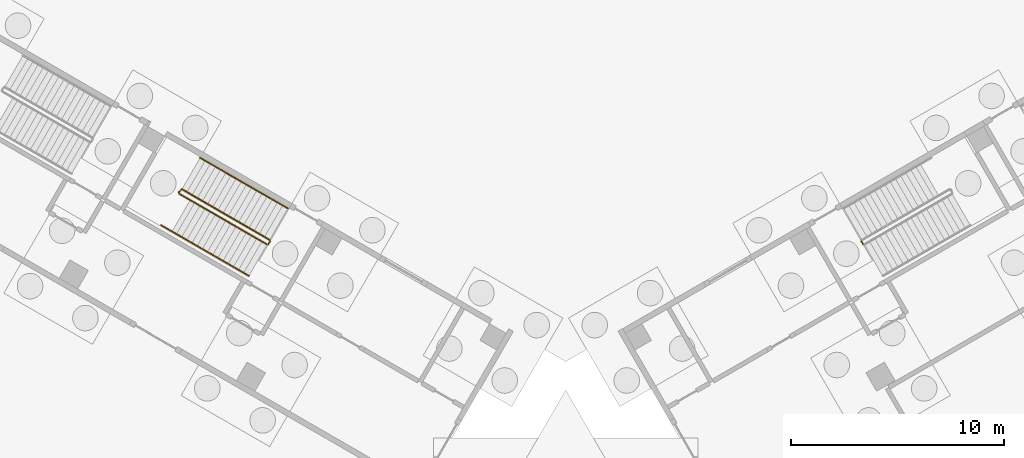
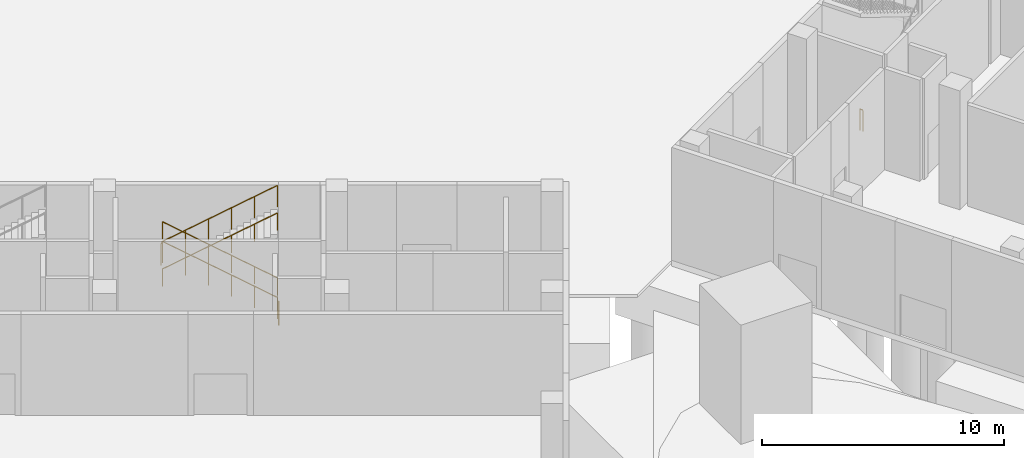
# One storey, part 33 of 38: 6 railings.
"""IFC4 building model written with IfcOpenShell, lengths in metres."""

from ifc_helpers import new_model, si_unit, direction, frame, origin, origin_2d, place, context, subcontext, project, spatial, circle, extrude, material, type_object, element, save


model = new_model("IFC4")

# Units and contexts
model_context = context("Model", 3, precision=1e-05, world=origin(), true_north=direction((0.0, 1.0)))
body_context = subcontext(model_context, "Body", "Model", "MODEL_VIEW")
ifc_project = project(units=[si_unit("LENGTHUNIT", "METRE"), si_unit("AREAUNIT", "SQUARE_METRE"), si_unit("VOLUMEUNIT", "CUBIC_METRE"), si_unit("PLANEANGLEUNIT", "RADIAN"), si_unit("MASSUNIT", "GRAM", prefix="KILO")], contexts=[model_context])

# Site, building, storey
site_placement = place(None, origin())
site = spatial("IfcSite", under=ifc_project, at=site_placement, CompositionType="ELEMENT")
building_placement = place(site_placement, origin())
building = spatial("IfcBuilding", under=site, at=building_placement, Name="Mestral Congress Tower", CompositionType="ELEMENT")
storey_placement = place(building_placement, origin())
storey = spatial("IfcBuildingStorey", under=building, at=storey_placement, Name="L00", CompositionType="ELEMENT", Elevation=0.0)

# Railings
ifc_material_1 = material(Name="Steel balustrade", Category="steel")
railing_type_1 = type_object("IfcRailingType", Name="Podium stair guard 1100", PredefinedType="GUARDRAIL", material=ifc_material_1)
railing_1_placement = place(storey_placement, frame((13.946533203125, 51.69970703125, 0.0)))
element("IfcRailing", 1, at=railing_1_placement, inside=storey, type_object=railing_type_1, Name="L00 PS-E4 stair guard 3", PredefinedType="GUARDRAIL", context=body_context, shape_type="SweptSolid", body=[
    extrude(circle(Radius=0.02392578125, at=origin_2d()), frame((0.0, 0.0, 1.076171875), z_axis=(-0.499816412211, 0.866131372301, 0.0), x_axis=(-0.866131372301, -0.499816412211, 0.0)), (0.0, 0.0, 1.0), 0.14990234375),
    extrude(circle(Radius=0.02099609375, at=origin_2d()), origin(), (0.0, 0.0, 1.0), 1.052001953125),
    extrude(circle(Radius=0.02099609375, at=origin_2d()), frame((-0.074951171875, 0.1298828125, 0.0)), (0.0, 0.0, 1.0), 1.052001953125),
])
railing_2_placement = place(storey_placement, frame((-13.889892578125, 51.89794921875, 0.166748046875)))
element("IfcRailing", 2, at=railing_2_placement, inside=storey, type_object=railing_type_1, Name="L00 PS-W1 stair guard 1", PredefinedType="GUARDRAIL", context=body_context, shape_type="SweptSolid", body=[
    extrude(circle(Radius=0.02392578125, at=origin_2d()), frame((0.0, 0.0, 1.076171875), z_axis=(-0.744170432188, 0.42966642247, 0.511465671634), x_axis=(-0.5000169524, -0.866015616091, 0.0)), (0.0, 0.0, 1.0), 5.53955078125),
    extrude(circle(Radius=0.02392578125, at=origin_2d()), frame((-4.122314453125, 2.380126953125, 3.9091796875), z_axis=(-0.694573396767, -0.719421848781, 0.0), x_axis=(0.719421848781, -0.694573396767, 0.0)), (0.0, 0.0, 1.0), 0.206298828125),
    extrude(circle(Radius=0.02099609375, at=origin_2d()), origin(), (0.0, 0.0, 1.0), 1.052001953125),
    extrude(circle(Radius=0.02099609375, at=origin_2d()), frame((-0.824462890625, 0.47607421875, 0.566650390625)), (0.0, 0.0, 1.0), 1.052001953125),
    extrude(circle(Radius=0.02099609375, at=origin_2d()), frame((-1.64892578125, 0.9521484375, 1.13330078125)), (0.0, 0.0, 1.0), 1.052001953125),
    extrude(circle(Radius=0.02099609375, at=origin_2d()), frame((-2.473388671875, 1.427978515625, 1.699951171875)), (0.0, 0.0, 1.0), 1.052001953125),
    extrude(circle(Radius=0.02099609375, at=origin_2d()), frame((-3.2978515625, 1.904052734375, 2.2666015625)), (0.0, 0.0, 1.0), 1.052001953125),
    extrude(circle(Radius=0.02099609375, at=origin_2d()), frame((-4.122314453125, 2.380126953125, 2.833251953125)), (0.0, 0.0, 1.0), 1.052001953125),
    extrude(circle(Radius=0.02099609375, at=origin_2d()), frame((-4.265625, 2.231689453125, 2.833251953125)), (0.0, 0.0, 1.0), 1.052001953125),
])
railing_3_placement = place(storey_placement, frame((-18.13720703125, 54.0615234375, 3.166748046875)))
element("IfcRailing", 3, at=railing_3_placement, inside=storey, type_object=railing_type_1, Name="L00 PS-W1 stair guard 2", PredefinedType="GUARDRAIL", context=body_context, shape_type="SweptSolid", body=[
    extrude(circle(Radius=0.02392578125, at=origin_2d()), frame((0.0, 0.0, 1.076171875), z_axis=(0.744170432188, -0.42966642247, 0.511465671634), x_axis=(0.5000169524, 0.866015616091, 0.0)), (0.0, 0.0, 1.0), 5.53955078125),
    extrude(circle(Radius=0.02099609375, at=origin_2d()), origin(), (0.0, 0.0, 1.0), 1.052001953125),
    extrude(circle(Radius=0.02099609375, at=origin_2d()), frame((0.824462890625, -0.47607421875, 0.566650390625)), (0.0, 0.0, 1.0), 1.052001953125),
    extrude(circle(Radius=0.02099609375, at=origin_2d()), frame((1.64892578125, -0.9521484375, 1.13330078125)), (0.0, 0.0, 1.0), 1.052001953125),
    extrude(circle(Radius=0.02099609375, at=origin_2d()), frame((2.473388671875, -1.427978515625, 1.699951171875)), (0.0, 0.0, 1.0), 1.052001953125),
    extrude(circle(Radius=0.02099609375, at=origin_2d()), frame((3.2978515625, -1.904052734375, 2.2666015625)), (0.0, 0.0, 1.0), 1.052001953125),
    extrude(circle(Radius=0.02099609375, at=origin_2d()), frame((4.122314453125, -2.380126953125, 2.833251953125)), (0.0, 0.0, 1.0), 1.052001953125),
])
railing_4_placement = place(storey_placement, frame((-13.87158203125, 51.82958984375, 0.0)))
element("IfcRailing", 4, at=railing_4_placement, inside=storey, type_object=railing_type_1, Name="L00 PS-W1 stair guard 3", PredefinedType="GUARDRAIL", context=body_context, shape_type="SweptSolid", body=[
    extrude(circle(Radius=0.02392578125, at=origin_2d()), frame((0.0, 0.0, 1.076171875), z_axis=(-0.499816412211, -0.866131372301, 0.0), x_axis=(0.866131372301, -0.499816412211, 0.0)), (0.0, 0.0, 1.0), 0.14990234375),
    extrude(circle(Radius=0.02099609375, at=origin_2d()), origin(), (0.0, 0.0, 1.0), 1.052001953125),
    extrude(circle(Radius=0.02099609375, at=origin_2d()), frame((-0.074951171875, -0.1298828125, 0.0)), (0.0, 0.0, 1.0), 1.052001953125),
])
ifc_material_2 = material(Name="Steel handrail", Category="steel")
railing_type_2 = type_object("IfcRailingType", Name="Podium stair handrail 900", PredefinedType="HANDRAIL", material=ifc_material_2)
railing_5_placement = place(storey_placement, frame((-13.0400390625, 53.3701171875, 0.166748046875)))
element("IfcRailing", 5, at=railing_5_placement, inside=storey, type_object=railing_type_2, Name="L00 PS-W1 stair handrail 1", PredefinedType="HANDRAIL", context=body_context, shape_type="SweptSolid", body=[
    extrude(circle(Radius=0.02392578125, at=origin_2d()), frame((0.0, 0.0, 0.8759765625), z_axis=(-0.744150765448, 0.429680514828, 0.511482446874), x_axis=(-0.500039162534, -0.866002792104, 0.0)), (0.0, 0.0, 1.0), 5.539306640625),
    extrude(circle(Radius=0.02099609375, at=origin_2d()), origin(), (0.0, 0.0, 1.0), 0.851806640625),
    extrude(circle(Radius=0.02099609375, at=origin_2d()), frame((-0.824462890625, 0.47607421875, 0.566650390625)), (0.0, 0.0, 1.0), 0.851806640625),
    extrude(circle(Radius=0.02099609375, at=origin_2d()), frame((-1.64892578125, 0.9521484375, 1.13330078125)), (0.0, 0.0, 1.0), 0.851806640625),
    extrude(circle(Radius=0.02099609375, at=origin_2d()), frame((-2.47314453125, 1.427978515625, 1.699951171875)), (0.0, 0.0, 1.0), 0.851806640625),
    extrude(circle(Radius=0.02099609375, at=origin_2d()), frame((-3.297607421875, 1.904052734375, 2.2666015625)), (0.0, 0.0, 1.0), 0.851806640625),
    extrude(circle(Radius=0.02099609375, at=origin_2d()), frame((-4.1220703125, 2.380126953125, 2.833251953125)), (0.0, 0.0, 1.0), 0.851806640625),
])
railing_6_placement = place(storey_placement, frame((-18.9873046875, 52.589111328125, 3.166748046875)))
element("IfcRailing", 6, at=railing_6_placement, inside=storey, type_object=railing_type_2, Name="L00 PS-W1 stair handrail 2", PredefinedType="HANDRAIL", context=body_context, shape_type="SweptSolid", body=[
    extrude(circle(Radius=0.02392578125, at=origin_2d()), frame((0.0, 0.0, 0.8759765625), z_axis=(0.744184523948, -0.429630485013, 0.51147535685), x_axis=(0.499978485002, 0.866037825118, 0.0)), (0.0, 0.0, 1.0), 5.539306640625),
    extrude(circle(Radius=0.02099609375, at=origin_2d()), origin(), (0.0, 0.0, 1.0), 0.851806640625),
    extrude(circle(Radius=0.02099609375, at=origin_2d()), frame((0.824462890625, -0.47607421875, 0.566650390625)), (0.0, 0.0, 1.0), 0.851806640625),
    extrude(circle(Radius=0.02099609375, at=origin_2d()), frame((1.64892578125, -0.951904296875, 1.13330078125)), (0.0, 0.0, 1.0), 0.851806640625),
    extrude(circle(Radius=0.02099609375, at=origin_2d()), frame((2.473388671875, -1.427978515625, 1.699951171875)), (0.0, 0.0, 1.0), 0.851806640625),
    extrude(circle(Radius=0.02099609375, at=origin_2d()), frame((3.2978515625, -1.90380859375, 2.2666015625)), (0.0, 0.0, 1.0), 0.851806640625),
    extrude(circle(Radius=0.02099609375, at=origin_2d()), frame((4.122314453125, -2.3798828125, 2.833251953125)), (0.0, 0.0, 1.0), 0.851806640625),
])

save(model, "model.ifc")
